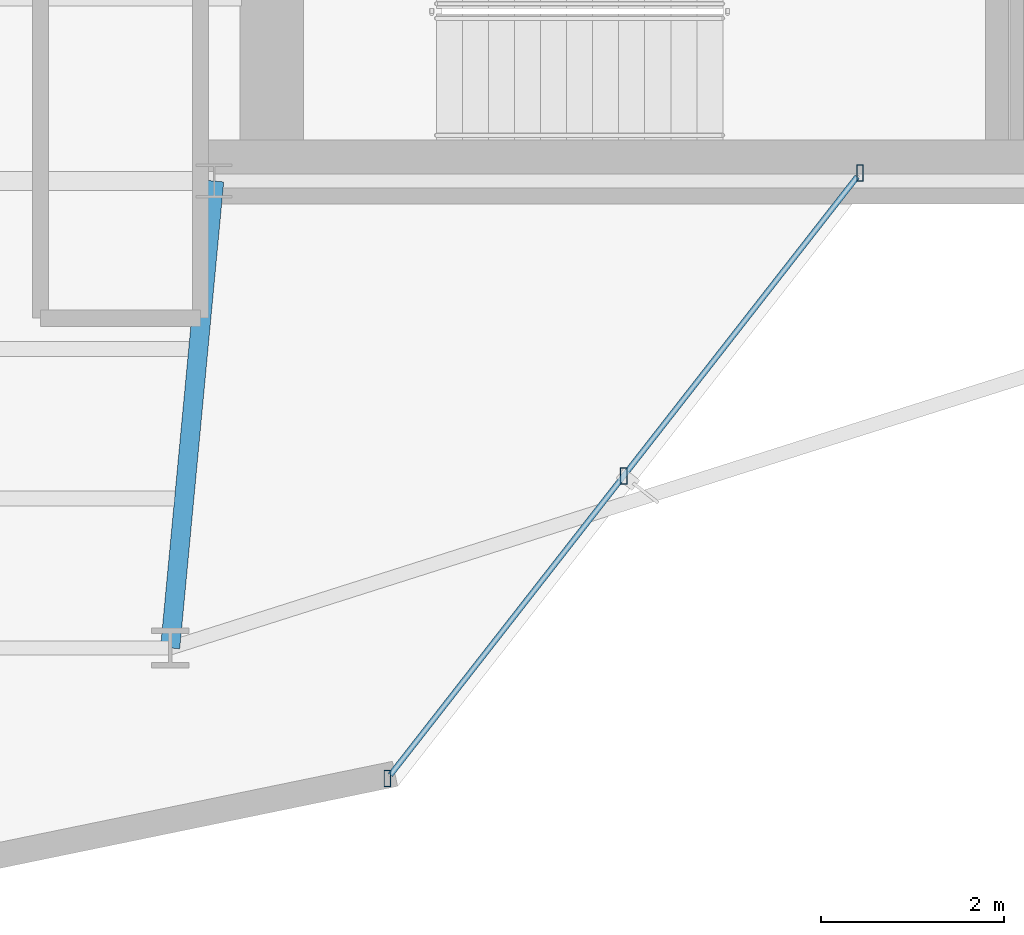
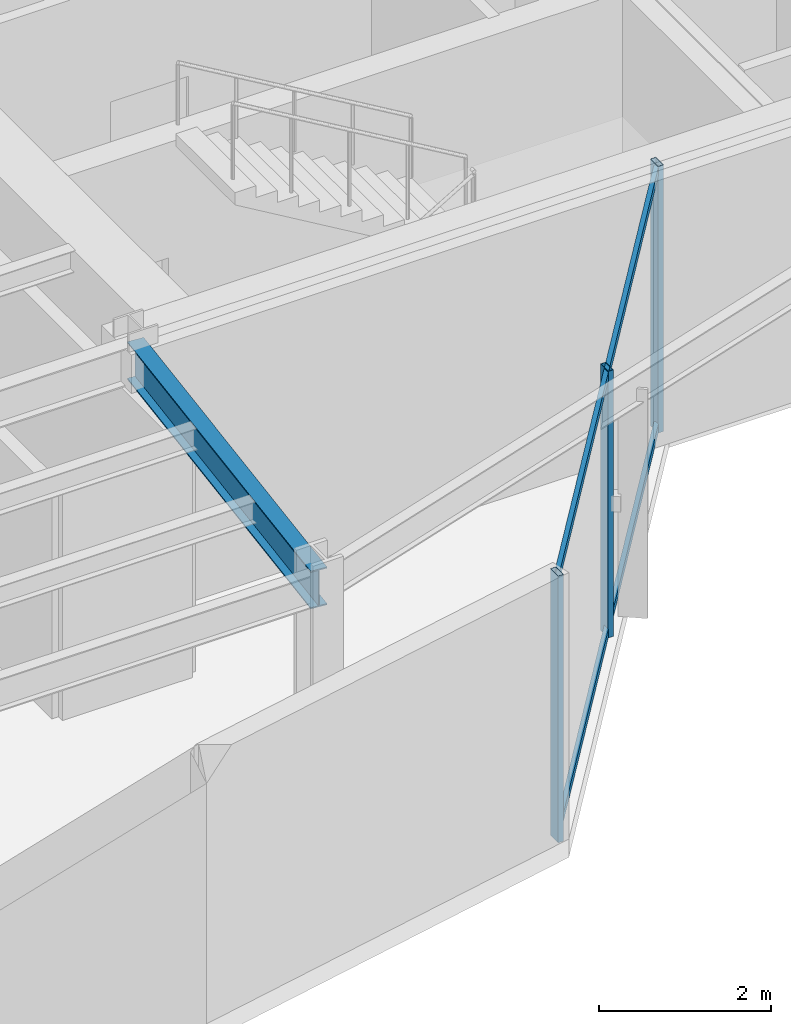
# One storey, part 6 of 21: 5 members, 1 beam, 1 element without a shape of its own.
"""IFC4 building model written with IfcOpenShell, lengths in metres."""

from ifc_helpers import new_model, si_unit, direction, frame, origin, origin_2d, place, context, subcontext, project, spatial, hollow_rectangle, i_section, extrude, material, layer, layer_set, material_profile, profile_set, type_object, element, aggregate, save


model = new_model("IFC4")

# Units and contexts
model_context = context("Model", 3, precision=1e-05, world=origin(), true_north=direction((0.0, 1.0)))
body_context = subcontext(model_context, "Body", "Model", "MODEL_VIEW")
ifc_project = project(units=[si_unit("LENGTHUNIT", "METRE"), si_unit("AREAUNIT", "SQUARE_METRE"), si_unit("VOLUMEUNIT", "CUBIC_METRE"), si_unit("PLANEANGLEUNIT", "RADIAN"), si_unit("MASSUNIT", "GRAM", prefix="KILO")], contexts=[model_context])

# Site, building, storey
site_placement = place(None, origin())
site = spatial("IfcSite", under=ifc_project, at=site_placement, CompositionType="ELEMENT")
building_placement = place(site_placement, origin())
building = spatial("IfcBuilding", under=site, at=building_placement, Name="Veymaron Broadcast Tower", CompositionType="ELEMENT")
storey_placement = place(building_placement, frame((0.0, 0.0, 244.5)))
storey = spatial("IfcBuildingStorey", under=building, at=storey_placement, Name="L57", CompositionType="ELEMENT", Elevation=244.5)

# Beam
ifc_material_1 = material(Name="Structural steel ASTM A992 Gr 50", Category="steel")
ifc_material_profile_1 = material_profile(ifc_material_1, i_section(OverallWidth=0.2099609375, OverallDepth=0.537109375, WebThickness=0.010986328125, FlangeThickness=0.017333984375, at=origin_2d()), Name="W530X101")
ifc_profile_set_1 = profile_set([ifc_material_profile_1], Name="Structural steel ASTM A992 Gr 50")
beam_type = type_object("IfcBeamType", Name="BM-FG3", PredefinedType="BEAM", material=ifc_profile_set_1)
beam_placement = place(storey_placement, frame((39.0, 16.0, 3.521484375), z_axis=(-0.093933273565, -0.995578495206, 0.0), x_axis=(0.995578495206, -0.093933273565, 0.0)))
element("IfcBeam", 1, at=beam_placement, inside=storey, type_object=beam_type, Name="L57 primary structural floor girder", PredefinedType="BEAM", context=body_context, shape_type="SweptSolid", body=[
    extrude(i_section(OverallWidth=0.2099609375, OverallDepth=0.537109375, WebThickness=0.010986328125, FlangeThickness=0.017333984375, at=origin_2d()), origin(), (0.0, 0.0, 1.0), 5.130615234375),
])

# Curtain wall, members
ifc_material_2 = material(Name="Anodised aluminium AA 6063-T6 and laminated low-E dark glass", Category="aluminium")
ifc_layer = layer(ifc_material_2, 0.179931640625)
ifc_layer_set = layer_set([ifc_layer], Name="Anodised aluminium AA 6063-T6 and laminated low-E dark glass")
curtain_wall_type = type_object("IfcCurtainWallType", Name="CW-SYS-05", PredefinedType="NOTDEFINED", material=ifc_layer_set)
curtain_wall_placement = place(storey_placement, origin())
curtain_wall = element("IfcCurtainWall", 2, at=curtain_wall_placement, inside=storey, type_object=curtain_wall_type, Name="L57 dark-glass curtain wall CW-L57-E20-1", PredefinedType="NOTDEFINED")
ifc_material_3 = material(Name="Anodised aluminium AA 6063-T6", Category="aluminium")
ifc_material_profile_2 = material_profile(ifc_material_3, hollow_rectangle(XDim=0.074951171875, YDim=0.179931640625, WallThickness=0.0048828125, at=origin_2d()), Name="AL180X75X5")
ifc_profile_set_2 = profile_set([ifc_material_profile_2], Name="Anodised aluminium AA 6063-T6")
member_type_1 = type_object("IfcMemberType", Name="CW-MUL-02", PredefinedType="MULLION", material=ifc_profile_set_2)
member_1_placement = place(storey_placement, frame((40.8955078125, 9.462890625, 0.0), z_axis=(0.0, 0.0, 1.0), x_axis=(1.0, 0.0, 0.0)))
member_1 = element("IfcMember", 3, at=member_1_placement, type_object=member_type_1, Name="CW-L57-E20-1 mullion 0", PredefinedType="MULLION", context=body_context, shape_type="SweptSolid", body=[
    extrude(hollow_rectangle(XDim=0.074951171875, YDim=0.179931640625, WallThickness=0.0048828125, at=origin_2d()), origin(), (0.0, 0.0, 1.0), 3.7900390625),
])
member_2_placement = place(storey_placement, frame((43.48046875, 12.7744140625, 0.0), z_axis=(0.0, 0.0, 1.0), x_axis=(1.0, 0.0, 0.0)))
member_2 = element("IfcMember", 4, at=member_2_placement, type_object=member_type_1, Name="CW-L57-E20-1 mullion 1", PredefinedType="MULLION", context=body_context, shape_type="SweptSolid", body=[
    extrude(hollow_rectangle(XDim=0.074951171875, YDim=0.179931640625, WallThickness=0.0048828125, at=origin_2d()), origin(), (0.0, 0.0, 1.0), 3.7900390625),
])
member_3_placement = place(storey_placement, frame((46.065185546875, 16.086181640625, 0.0), z_axis=(0.0, 0.0, 1.0), x_axis=(1.0, 0.0, 0.0)))
member_3 = element("IfcMember", 5, at=member_3_placement, type_object=member_type_1, Name="CW-L57-E20-1 mullion 2", PredefinedType="MULLION", context=body_context, shape_type="SweptSolid", body=[
    extrude(hollow_rectangle(XDim=0.074951171875, YDim=0.179931640625, WallThickness=0.0048828125, at=origin_2d()), origin(), (0.0, 0.0, 1.0), 3.7900390625),
])
ifc_material_profile_3 = material_profile(ifc_material_3, hollow_rectangle(XDim=0.06005859375, YDim=0.1201171875, WallThickness=0.00390625, at=origin_2d()), Name="AL120X60X4")
ifc_profile_set_3 = profile_set([ifc_material_profile_3], Name="Anodised aluminium AA 6063-T6")
member_type_2 = type_object("IfcMemberType", Name="CW-TRN-02", PredefinedType="USERDEFINED", material=ifc_profile_set_3)
member_4_placement = place(storey_placement, frame((40.926513671875, 9.502197265625, 0.070068359375), z_axis=(0.615275312806, 0.788312304516, 0.0), x_axis=(-0.788312304516, 0.615275312806, 0.0)))
member_4 = element("IfcMember", 6, at=member_4_placement, type_object=member_type_2, Name="CW-L57-E20-1 transom B", ObjectType="TRANSOM", PredefinedType="USERDEFINED", context=body_context, shape_type="SweptSolid", body=[
    extrude(hollow_rectangle(XDim=0.06005859375, YDim=0.1201171875, WallThickness=0.00390625, at=origin_2d()), origin(), (0.0, 0.0, 1.0), 8.3017578125),
])
member_5_placement = place(storey_placement, frame((40.926513671875, 9.502197265625, 3.719970703125), z_axis=(0.615275312806, 0.788312304516, 0.0), x_axis=(-0.788312304516, 0.615275312806, 0.0)))
member_5 = element("IfcMember", 7, at=member_5_placement, type_object=member_type_2, Name="CW-L57-E20-1 transom T", ObjectType="TRANSOM", PredefinedType="USERDEFINED", context=body_context, shape_type="SweptSolid", body=[
    extrude(hollow_rectangle(XDim=0.06005859375, YDim=0.1201171875, WallThickness=0.00390625, at=origin_2d()), origin(), (0.0, 0.0, 1.0), 8.3017578125),
])
aggregate(curtain_wall, [member_1, member_2, member_3, member_4, member_5])

save(model, "model.ifc")
